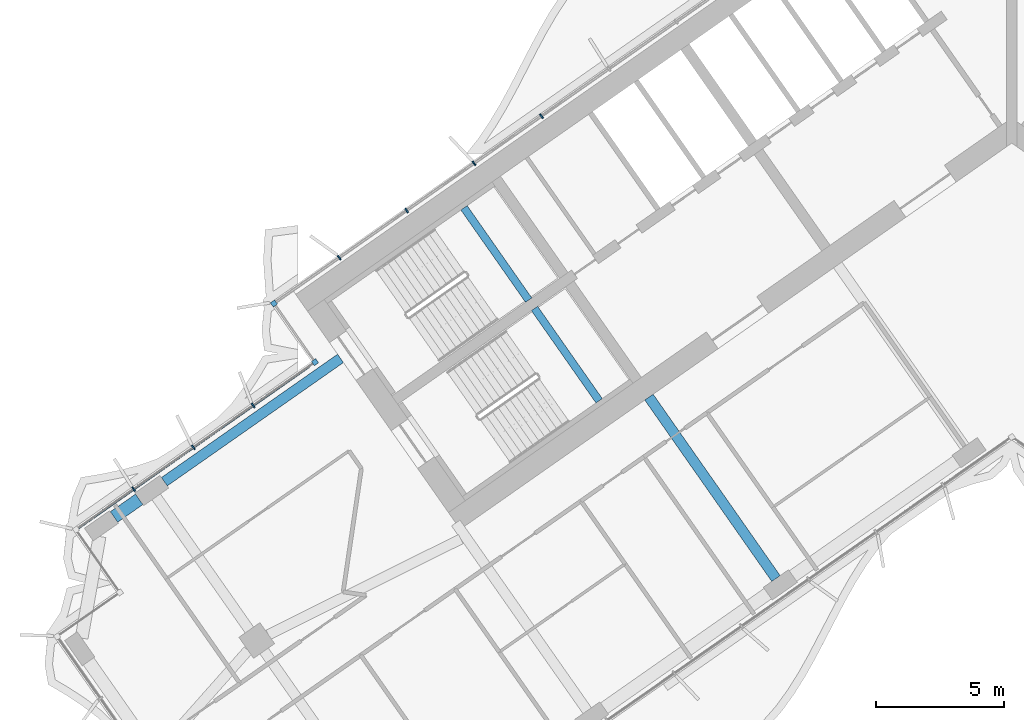
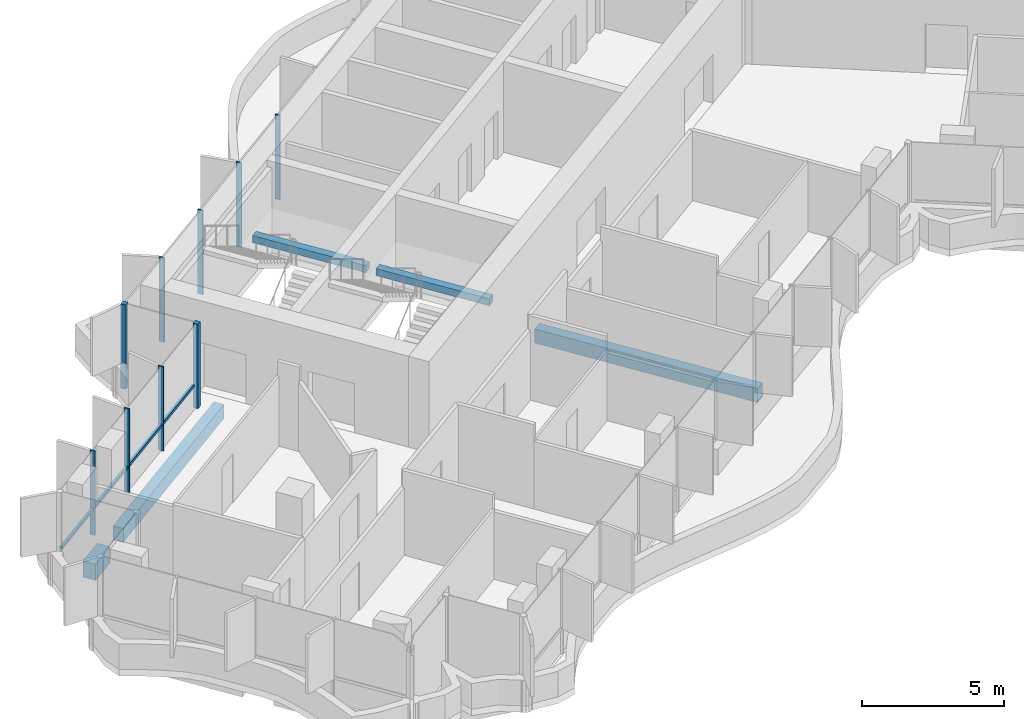
# One storey, part 4 of 23: 10 members, 5 beams, 2 elements without a shape of their own.
"""IFC4 building model written with IfcOpenShell, lengths in metres."""

import ifcopenshell
import ifcopenshell.guid

model = None  # the IFC model being written
_history = None  # IfcOwnerHistory: only IFC2X3 demands one
_inside = {}  # id of a spatial element -> (the spatial element, [elements in it])
_under = {}  # id of a project, library or spatial element -> (it, [spatial elements below it])
_declared = {}  # id of a project -> (the project, [libraries it declares])
_typed = {}  # id of a type object -> (the type object, [elements of that type])
_made_of = {}  # id of a material, layer set ... -> (it, [elements and type objects made of it])


def new_model(schema):
    """Start an empty IFC model of exactly this schema.

    Asked for "IFC4X3", IfcOpenShell would pick the latest addendum, in which some entities
    have other attributes; the version numbers below select the first issue.
    IFC2X3 requires an IfcOwnerHistory on every rooted entity: one is made here for all.
    """
    global model, _history
    if schema == "IFC4X3":
        model = ifcopenshell.file(schema_version=(4, 3, 0, 0))
    else:
        model = ifcopenshell.file(schema=schema)
    _inside.clear()
    _under.clear()
    _declared.clear()
    _typed.clear()
    _made_of.clear()
    _history = None
    if model.schema == "IFC2X3":
        org = make("IfcOrganization", Name="unknown")
        user = make(
            "IfcPersonAndOrganization",
            ThePerson=make("IfcPerson", FamilyName="unknown"),
            TheOrganization=org,
        )
        app = make(
            "IfcApplication",
            ApplicationDeveloper=org,
            Version="unknown",
            ApplicationFullName="unknown",
            ApplicationIdentifier="unknown",
        )
        _history = make(
            "IfcOwnerHistory",
            OwningUser=user,
            OwningApplication=app,
            ChangeAction="ADDED",
            CreationDate=0,
        )
    return model


def make(cls, **values):
    """One entity of the class cls with the attributes given. An attribute that is None is left unset."""
    return model.create_entity(
        cls, **{name: value for name, value in values.items() if value is not None}
    )


def rooted(cls, **values):
    """An entity with a GlobalId (a new one), such as an element, a storey or a relation."""
    return make(cls, GlobalId=ifcopenshell.guid.new(), OwnerHistory=_history, **values)


def si_unit(unit_type, name, prefix=None):
    """IfcSIUnit, for example si_unit("LENGTHUNIT", "METRE", prefix="MILLI")."""
    return make("IfcSIUnit", UnitType=unit_type, Prefix=prefix, Name=name)


def assignment(units):
    """IfcUnitAssignment: the units of a project."""
    return None if units is None else make("IfcUnitAssignment", Units=units)


def point(xyz):
    """IfcCartesianPoint."""
    return None if xyz is None else make("IfcCartesianPoint", Coordinates=xyz)


def direction(xyz):
    """IfcDirection."""
    return None if xyz is None else make("IfcDirection", DirectionRatios=xyz)


def frame(location, z_axis=None, x_axis=None):
    """IfcAxis2Placement3D, a coordinate frame: its origin and axes. An axis left out is left unset."""
    return make(
        "IfcAxis2Placement3D",
        Location=point(location),
        Axis=direction(z_axis),
        RefDirection=direction(x_axis),
    )


def frame_2d(location, x_axis=None):
    """IfcAxis2Placement2D, a coordinate frame in the plane: its origin and x axis."""
    return make(
        "IfcAxis2Placement2D", Location=point(location), RefDirection=direction(x_axis)
    )


def origin():
    """The frame at (0, 0, 0) with its axes left unset."""
    return frame((0.0, 0.0, 0.0))


def origin_2d():
    """The frame at (0, 0) in the plane with its x axis left unset."""
    return frame_2d((0.0, 0.0))


def place(relative_to, where):
    """IfcLocalPlacement: puts the frame where relative to a parent placement (None: the world)."""
    return make(
        "IfcLocalPlacement", PlacementRelTo=relative_to, RelativePlacement=where
    )


def context(
    kind, dimensions, precision=None, world=None, true_north=None, identifier=None
):
    """IfcGeometricRepresentationContext, for example the 3D "Model" context."""
    return make(
        "IfcGeometricRepresentationContext",
        ContextIdentifier=identifier,
        ContextType=kind,
        CoordinateSpaceDimension=dimensions,
        Precision=precision,
        WorldCoordinateSystem=world,
        TrueNorth=true_north,
    )


def subcontext(parent, identifier, kind, view, scale=None):
    """IfcGeometricRepresentationSubContext, for example "Body" below "Model"."""
    return make(
        "IfcGeometricRepresentationSubContext",
        ContextIdentifier=identifier,
        ContextType=kind,
        ParentContext=parent,
        TargetScale=scale,
        TargetView=view,
    )


def project(units=None, contexts=None):
    """IfcProject with its units and contexts."""
    return rooted(
        "IfcProject",
        Name="project",
        RepresentationContexts=contexts,
        UnitsInContext=assignment(units),
    )


def spatial(cls, under=None, at=None, **own):
    """A site, building, storey or space (cls), placed at a placement, below another one or the project."""
    s = rooted(cls, ObjectPlacement=at, **own)
    if under is not None:
        _under.setdefault(under.id(), (under, []))[1].append(s)
    return s


def profile(cls, at=None, kind="AREA", **sizes):
    """A parametric profile (cls). Its sizes go by their IFC names, for example OverallWidth=200.0."""
    return make(cls, ProfileType=kind, Position=at, **sizes)


def rectangle(**sizes):
    """IfcRectangleProfileDef."""
    return profile("IfcRectangleProfileDef", **sizes)


def extrude(swept, where, along, depth):
    """IfcExtrudedAreaSolid: the profile swept, set in the frame where, extruded along a direction by depth."""
    return make(
        "IfcExtrudedAreaSolid",
        SweptArea=swept,
        Position=where,
        ExtrudedDirection=direction(along),
        Depth=depth,
    )


def shape(context_of_items, identifier, shape_type, items):
    """IfcShapeRepresentation: the items that make up one representation, for example the "Body"."""
    return make(
        "IfcShapeRepresentation",
        ContextOfItems=context_of_items,
        RepresentationIdentifier=identifier,
        RepresentationType=shape_type,
        Items=items,
    )


def material(Name=None, Category=None):
    """IfcMaterial."""
    return make("IfcMaterial", Name=Name, Category=Category)


def material_profile(
    of_material, cross_section, Name=None, Category=None, Priority=None
):
    """IfcMaterialProfile: a cross section and its material."""
    return make(
        "IfcMaterialProfile",
        Name=Name,
        Material=of_material,
        Profile=cross_section,
        Priority=Priority,
        Category=Category,
    )


def profile_set(profiles, Name=None, composite=None):
    """IfcMaterialProfileSet."""
    return make(
        "IfcMaterialProfileSet",
        Name=Name,
        MaterialProfiles=profiles,
        CompositeProfile=composite,
    )


def made_of(thing, what):
    """Note that an element or type object is made of a material, layer set ...; save() writes the relation."""
    if what is not None:
        _made_of.setdefault(what.id(), (what, []))[1].append(thing)
    return thing


def type_object(cls, material=None, **own):
    """A type object (cls), such as IfcWallType, which elements share."""
    return made_of(rooted(cls, **own), material)


def element(
    cls,
    number,
    at=None,
    inside=None,
    cuts=None,
    type_object=None,
    material=None,
    context=None,
    identifier="Body",
    shape_type=None,
    held_by="IfcProductDefinitionShape",
    body=None,
    shapes=None,
    **own,
):
    """One element of the class cls, such as IfcWall. Its Tag is "e" and its number.

    at: its placement. inside: the storey or other place that contains it. cuts: it is an
    opening in that element (IfcRelVoidsElement). A single representation is given by context,
    identifier, shape_type and body (its items); several are given by shapes. held_by: the class
    of the entity that holds the representations. save() writes the other relations.
    """
    e = rooted(cls, Tag="e%d" % number, ObjectPlacement=at, **own)
    if body is not None:
        shapes = [shape(context, identifier, shape_type, body)]
    if shapes is not None:
        e.Representation = make(held_by, Representations=shapes)
    if inside is not None:
        _inside.setdefault(inside.id(), (inside, []))[1].append(e)
    if cuts is not None:
        rooted(
            "IfcRelVoidsElement", RelatingBuildingElement=cuts, RelatedOpeningElement=e
        )
    if type_object is not None:
        _typed.setdefault(type_object.id(), (type_object, []))[1].append(e)
    return made_of(e, material)


def aggregate(whole, parts):
    """IfcRelAggregates: a whole, such as a stair, and the parts it consists of."""
    return rooted("IfcRelAggregates", RelatingObject=whole, RelatedObjects=parts)


def save(model, path):
    """Write the relations noted so far, then the file.

    IfcRelAggregates (storeys below a building ...), IfcRelContainedInSpatialStructure (elements
    in a storey), IfcRelDefinesByType, IfcRelAssociatesMaterial and IfcRelDeclares: one each for
    every whole, place, type object, material and project.
    """
    for whole, parts in _under.values():
        aggregate(whole, parts)
    for where, things in _inside.values():
        rooted(
            "IfcRelContainedInSpatialStructure",
            RelatedElements=things,
            RelatingStructure=where,
        )
    for kind, things in _typed.values():
        rooted("IfcRelDefinesByType", RelatedObjects=things, RelatingType=kind)
    for what, things in _made_of.values():
        rooted("IfcRelAssociatesMaterial", RelatedObjects=things, RelatingMaterial=what)
    for by, libraries in _declared.values():
        rooted("IfcRelDeclares", RelatingContext=by, RelatedDefinitions=libraries)
    model.write(path)


model = new_model("IFC4")

# Units and contexts
model_context = context("Model", 3, precision=1e-05, world=origin(), true_north=direction((0.0, 1.0)))
body_context = subcontext(model_context, "Body", "Model", "MODEL_VIEW")
ifc_project = project(units=[si_unit("LENGTHUNIT", "METRE"), si_unit("AREAUNIT", "SQUARE_METRE"), si_unit("VOLUMEUNIT", "CUBIC_METRE"), si_unit("PLANEANGLEUNIT", "RADIAN"), si_unit("MASSUNIT", "GRAM", prefix="KILO")], contexts=[model_context])

# Site, building, storey
site_placement = place(None, origin())
site = spatial("IfcSite", under=ifc_project, at=site_placement, CompositionType="ELEMENT")
building_placement = place(site_placement, origin())
building = spatial("IfcBuilding", under=site, at=building_placement, Name="Tel Ilan Convention Tower", CompositionType="ELEMENT")
storey_placement = place(building_placement, frame((0.0, 0.0, 194.39990234375)))
storey = spatial("IfcBuildingStorey", under=building, at=storey_placement, Name="L45", CompositionType="ELEMENT", Elevation=194.39990234375)

# Beams
ifc_material_1 = material(Name="Concrete C40/50", Category="concrete")
ifc_material_profile_1 = material_profile(ifc_material_1, rectangle(XDim=0.39990234375, YDim=0.60009765625, at=origin_2d()), Name="RC 400x600")
ifc_profile_set_1 = profile_set([ifc_material_profile_1], Name="Concrete C40/50")
beam_type_1 = type_object("IfcBeamType", Name="Beam RC 400x600 Concrete C40/50", PredefinedType="BEAM", material=ifc_profile_set_1)
beam_1_placement = place(storey_placement, frame((-33.09912109375, -14.44775390625, -0.579833984375), z_axis=(0.819147254605, 0.573583276668, 0.0), x_axis=(-0.573583276668, 0.819147254605, 0.0)))
element("IfcBeam", 1, at=beam_1_placement, inside=storey, type_object=beam_type_1, Name="L45 beam W-W-B4-core", PredefinedType="BEAM", context=body_context, shape_type="SweptSolid", body=[
    extrude(rectangle(XDim=0.39990234375, YDim=0.60009765625, at=origin_2d()), origin(), (0.0, 0.0, 1.0), 8.400146484375),
])
beam_2_placement = place(storey_placement, frame((-9.209716796875, -18.229248046875, -0.579833984375), z_axis=(-0.573574099654, 0.819153680457, 0.0), x_axis=(-0.819153680457, -0.573574099654, 0.0)))
element("IfcBeam", 2, at=beam_2_placement, inside=storey, type_object=beam_type_1, Name="L45 beam W-W-F2-core", PredefinedType="BEAM", context=body_context, shape_type="SweptSolid", body=[
    extrude(rectangle(XDim=0.39990234375, YDim=0.60009765625, at=origin_2d()), origin(), (0.0, 0.0, 1.0), 8.64990234375),
])
ifc_material_2 = material(Name="Concrete C40/50", Category="concrete")
ifc_material_profile_2 = material_profile(ifc_material_2, rectangle(XDim=0.5, YDim=0.699951171875, at=origin_2d()), Name="RC 500x700")
ifc_profile_set_2 = profile_set([ifc_material_profile_2], Name="Concrete C40/50")
beam_type_2 = type_object("IfcBeamType", Name="Beam RC 500x700 Concrete C40/50", PredefinedType="BEAM", material=ifc_profile_set_2)
beam_3_placement = place(storey_placement, frame((-35.06494140625, -15.82421875, -0.6298828125), z_axis=(0.819155442668, 0.573571582932, 0.0), x_axis=(-0.573571582932, 0.819155442668, 0.0)))
element("IfcBeam", 3, at=beam_3_placement, inside=storey, type_object=beam_type_2, Name="L45 beam W-W-BC-W-B4", PredefinedType="BEAM", context=body_context, shape_type="SweptSolid", body=[
    extrude(rectangle(XDim=0.5, YDim=0.699951171875, at=origin_2d()), origin(), (0.0, 0.0, 1.0), 1.199951171875),
])

# Curtain wall, members
ifc_material_3 = material(Name="Aluminium, bronze anodised", Category="aluminium")
curtain_wall_type_1 = type_object("IfcCurtainWallType", Name="CW2 STICK CURTAIN WALL, SPANDREL PANELS", PredefinedType="NOTDEFINED", material=ifc_material_3)
curtain_wall_1_placement = place(storey_placement, origin())
curtain_wall_1 = element("IfcCurtainWall", 4, at=curtain_wall_1_placement, inside=storey, type_object=curtain_wall_type_1, Name="Curtain wall CW2-35.01", PredefinedType="NOTDEFINED")
ifc_material_4 = material(Name="Aluminium, bronze anodised", Category="aluminium")
ifc_material_profile_3 = material_profile(ifc_material_4, rectangle(XDim=0.199951171875, YDim=0.199951171875, at=origin_2d()), Name="CW CORNER MULLION 200x200")
ifc_profile_set_3 = profile_set([ifc_material_profile_3], Name="Aluminium, bronze anodised")
member_type_1 = type_object("IfcMemberType", Name="CW CORNER MULLION 200x200", PredefinedType="MULLION", material=ifc_profile_set_3)
member_1_placement = place(storey_placement, frame((-28.819580078125, -7.483642578125, 0.0), z_axis=(0.0, 0.0, 1.0), x_axis=(-0.819152044289, -0.573576436351, 0.0)))
member_1 = element("IfcMember", 5, at=member_1_placement, type_object=member_type_1, Name="Corner mullion", PredefinedType="MULLION", context=body_context, shape_type="SweptSolid", body=[
    extrude(rectangle(XDim=0.199951171875, YDim=0.199951171875, at=origin_2d()), origin(), (0.0, 0.0, 1.0), 3.6201171875),
])
member_2_placement = place(storey_placement, frame((-27.213623046875, -9.77734375, 0.0), z_axis=(0.0, 0.0, 1.0), x_axis=(0.573576436351, -0.819152044289, 0.0)))
member_2 = element("IfcMember", 6, at=member_2_placement, type_object=member_type_1, Name="Corner mullion", PredefinedType="MULLION", context=body_context, shape_type="SweptSolid", body=[
    extrude(rectangle(XDim=0.199951171875, YDim=0.199951171875, at=origin_2d()), origin(), (0.0, 0.0, 1.0), 3.6201171875),
])
ifc_material_5 = material(Name="Aluminium, bronze anodised", Category="aluminium")
ifc_material_profile_4 = material_profile(ifc_material_5, rectangle(XDim=0.06005859375, YDim=0.199951171875, at=origin_2d()), Name="CW MULLION 60x200")
ifc_profile_set_4 = profile_set([ifc_material_profile_4], Name="Aluminium, bronze anodised")
member_type_2 = type_object("IfcMemberType", Name="CW MULLION 60x200", PredefinedType="MULLION", material=ifc_profile_set_4)
member_3_placement = place(storey_placement, frame((-18.37109375, -0.16748046875, 0.0), z_axis=(0.0, 0.0, 1.0), x_axis=(-0.819152044289, -0.573576436351, 0.0)))
member_3 = element("IfcMember", 7, at=member_3_placement, type_object=member_type_2, Name="Mullion", PredefinedType="MULLION", context=body_context, shape_type="SweptSolid", body=[
    extrude(rectangle(XDim=0.06005859375, YDim=0.199951171875, at=origin_2d()), origin(), (0.0, 0.0, 1.0), 3.6201171875),
])
member_4_placement = place(storey_placement, frame((-21.003662109375, -2.0107421875, 0.0), z_axis=(0.0, 0.0, 1.0), x_axis=(-0.819152044289, -0.573576436351, 0.0)))
member_4 = element("IfcMember", 8, at=member_4_placement, type_object=member_type_2, Name="Mullion", PredefinedType="MULLION", context=body_context, shape_type="SweptSolid", body=[
    extrude(rectangle(XDim=0.06005859375, YDim=0.199951171875, at=origin_2d()), origin(), (0.0, 0.0, 1.0), 3.6201171875),
])
member_5_placement = place(storey_placement, frame((-23.63623046875, -3.854248046875, 0.0), z_axis=(0.0, 0.0, 1.0), x_axis=(-0.819152044289, -0.573576436351, 0.0)))
member_5 = element("IfcMember", 9, at=member_5_placement, type_object=member_type_2, Name="Mullion", PredefinedType="MULLION", context=body_context, shape_type="SweptSolid", body=[
    extrude(rectangle(XDim=0.06005859375, YDim=0.199951171875, at=origin_2d()), origin(), (0.0, 0.0, 1.0), 3.6201171875),
])
member_6_placement = place(storey_placement, frame((-26.268798828125, -5.697509765625, 0.0), z_axis=(0.0, 0.0, 1.0), x_axis=(-0.819152044289, -0.573576436351, 0.0)))
member_6 = element("IfcMember", 10, at=member_6_placement, type_object=member_type_2, Name="Mullion", PredefinedType="MULLION", context=body_context, shape_type="SweptSolid", body=[
    extrude(rectangle(XDim=0.06005859375, YDim=0.199951171875, at=origin_2d()), origin(), (0.0, 0.0, 1.0), 3.6201171875),
])
aggregate(curtain_wall_1, [member_3, member_4, member_5, member_6, member_1, member_2])

ifc_material_6 = material(Name="Aluminium, bronze anodised", Category="aluminium")
curtain_wall_type_2 = type_object("IfcCurtainWallType", Name="CW4 STICK CURTAIN WALL, OFFICE TINTED GLASS", PredefinedType="NOTDEFINED", material=ifc_material_6)
curtain_wall_2_placement = place(storey_placement, origin())
curtain_wall_2 = element("IfcCurtainWall", 11, at=curtain_wall_2_placement, inside=storey, type_object=curtain_wall_type_2, Name="Curtain wall CW4-35.02", PredefinedType="NOTDEFINED")
member_7_placement = place(storey_placement, frame((-29.630126953125, -11.46923828125, 0.0), z_axis=(0.0, 0.0, 1.0), x_axis=(-0.819152044289, -0.573576436351, 0.0)))
member_7 = element("IfcMember", 12, at=member_7_placement, type_object=member_type_2, Name="Mullion", PredefinedType="MULLION", context=body_context, shape_type="SweptSolid", body=[
    extrude(rectangle(XDim=0.06005859375, YDim=0.199951171875, at=origin_2d()), origin(), (0.0, 0.0, 1.0), 3.6201171875),
])
member_8_placement = place(storey_placement, frame((-31.964599609375, -13.10400390625, 0.0), z_axis=(0.0, 0.0, 1.0), x_axis=(-0.819152044289, -0.573576436351, 0.0)))
member_8 = element("IfcMember", 13, at=member_8_placement, type_object=member_type_2, Name="Mullion", PredefinedType="MULLION", context=body_context, shape_type="SweptSolid", body=[
    extrude(rectangle(XDim=0.06005859375, YDim=0.199951171875, at=origin_2d()), origin(), (0.0, 0.0, 1.0), 3.6201171875),
])
member_9_placement = place(storey_placement, frame((-34.299072265625, -14.73876953125, 0.0), z_axis=(0.0, 0.0, 1.0), x_axis=(-0.819152044289, -0.573576436351, 0.0)))
member_9 = element("IfcMember", 14, at=member_9_placement, type_object=member_type_2, Name="Mullion", PredefinedType="MULLION", context=body_context, shape_type="SweptSolid", body=[
    extrude(rectangle(XDim=0.06005859375, YDim=0.199951171875, at=origin_2d()), origin(), (0.0, 0.0, 1.0), 3.6201171875),
])
ifc_material_7 = material(Name="Aluminium, bronze anodised", Category="aluminium")
ifc_material_profile_5 = material_profile(ifc_material_7, rectangle(XDim=0.10009765625, YDim=0.1201171875, at=origin_2d()), Name="CW TRANSOM 100x120")
ifc_profile_set_5 = profile_set([ifc_material_profile_5], Name="Aluminium, bronze anodised")
member_type_3 = type_object("IfcMemberType", Name="CW TRANSOM 100x120", PredefinedType="USERDEFINED", material=ifc_profile_set_5)
member_10_placement = place(storey_placement, frame((-27.459228515625, -9.94921875, 1.10009765625), z_axis=(-0.819154753687, -0.57357256691, 0.0), x_axis=(0.57357256691, -0.819154753687, 0.0)))
member_10 = element("IfcMember", 15, at=member_10_placement, type_object=member_type_3, Name="Transom", ObjectType="TRANSOM", PredefinedType="USERDEFINED", context=body_context, shape_type="SweptSolid", body=[
    extrude(rectangle(XDim=0.10009765625, YDim=0.1201171875, at=origin_2d()), origin(), (0.0, 0.0, 1.0), 11.0),
])
aggregate(curtain_wall_2, [member_7, member_8, member_9, member_10])

# Beams
ifc_material_8 = material(Name="Concrete C40/50", Category="concrete")
ifc_material_profile_6 = material_profile(ifc_material_8, rectangle(XDim=0.300048828125, YDim=0.300048828125, at=origin_2d()), Name="RC 300x300")
ifc_profile_set_6 = profile_set([ifc_material_profile_6], Name="Concrete C40/50")
beam_type_3 = type_object("IfcBeamType", Name="Landing Beam RC 300x300 Concrete C40/50", PredefinedType="BEAM", material=ifc_profile_set_6)
beam_4_placement = place(storey_placement, frame((-18.870361328125, -7.353515625, 1.60009765625), z_axis=(-0.57354426506, 0.819174569928, 0.0), x_axis=(-0.819174569928, -0.57354426506, 0.0)))
element("IfcBeam", 16, at=beam_4_placement, inside=storey, type_object=beam_type_3, Name="S1 landing beam L45.1", PredefinedType="BEAM", context=body_context, shape_type="SweptSolid", body=[
    extrude(rectangle(XDim=0.300048828125, YDim=0.300048828125, at=origin_2d()), origin(), (0.0, 0.0, 1.0), 4.400146484375),
])
beam_5_placement = place(storey_placement, frame((-16.1171875, -11.285400390625, 1.60009765625), z_axis=(-0.573570334442, 0.819156316858, 0.0), x_axis=(-0.819156316858, -0.573570334442, 0.0)))
element("IfcBeam", 17, at=beam_5_placement, inside=storey, type_object=beam_type_3, Name="S2 landing beam L45.1", PredefinedType="BEAM", context=body_context, shape_type="SweptSolid", body=[
    extrude(rectangle(XDim=0.300048828125, YDim=0.300048828125, at=origin_2d()), origin(), (0.0, 0.0, 1.0), 4.39990234375),
])

save(model, "model.ifc")
